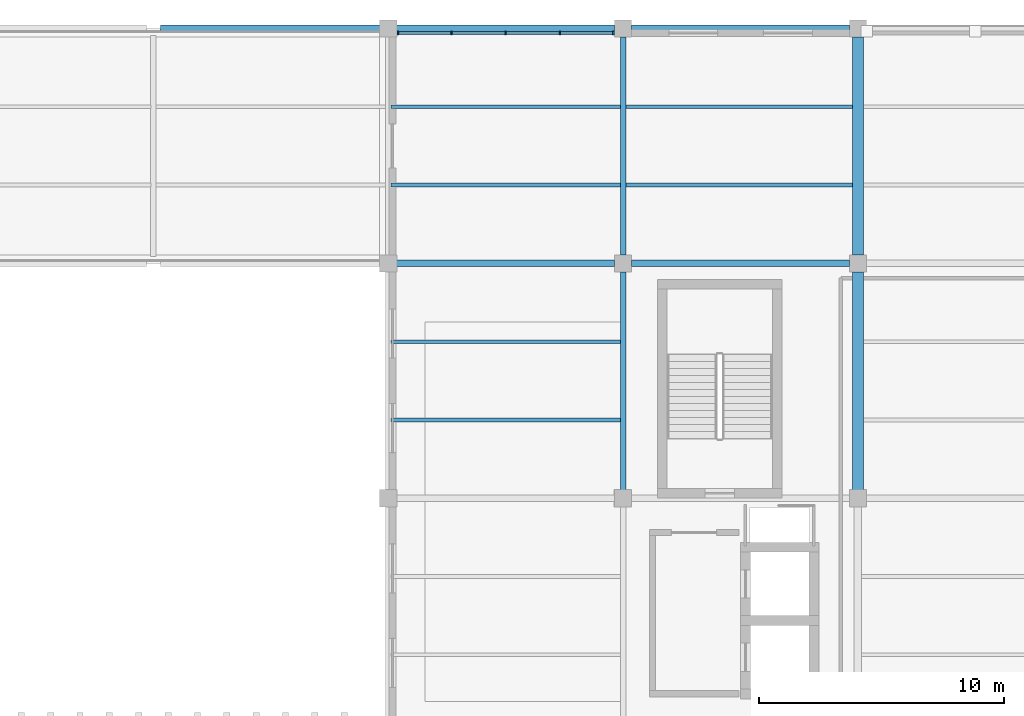
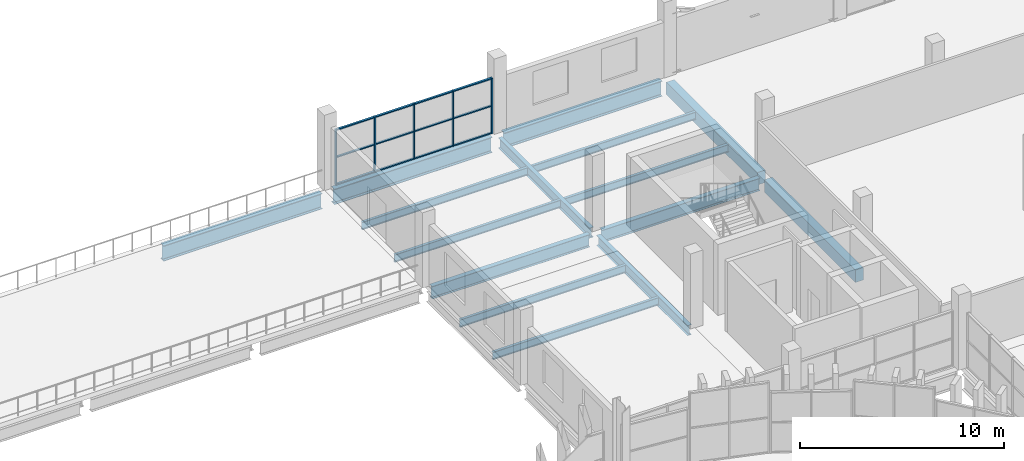
# One storey, part 33 of 75: 17 members, 15 beams, 1 element without a shape of its own.
"""IFC4 building model written with IfcOpenShell, lengths in metres."""

from ifc_helpers import new_model, si_unit, direction, frame, origin, origin_2d, place, context, subcontext, project, spatial, rectangle, i_section, extrude, material, layer, layer_set, material_profile, profile_set, type_object, element, aggregate, save


model = new_model("IFC4")

# Units and contexts
model_context = context("Model", 3, precision=1e-05, world=origin(), true_north=direction((0.0, 1.0)))
body_context = subcontext(model_context, "Body", "Model", "MODEL_VIEW")
ifc_project = project(units=[si_unit("LENGTHUNIT", "METRE"), si_unit("AREAUNIT", "SQUARE_METRE"), si_unit("VOLUMEUNIT", "CUBIC_METRE"), si_unit("PLANEANGLEUNIT", "RADIAN"), si_unit("MASSUNIT", "GRAM", prefix="KILO")], contexts=[model_context])

# Site, building, storey
site_placement = place(None, origin())
site = spatial("IfcSite", under=ifc_project, at=site_placement, CompositionType="ELEMENT")
building_placement = place(site_placement, origin())
building = spatial("IfcBuilding", under=site, at=building_placement, Name="Caelomonte Colonnade Arena", CompositionType="ELEMENT")
storey_placement = place(building_placement, frame((0.0, 0.0, 14.10009765625)))
storey = spatial("IfcBuildingStorey", under=building, at=storey_placement, Name="L03", CompositionType="ELEMENT", Elevation=14.10009765625)

# Curtain wall, members
ifc_material_1 = material(Name="Bronze anodised aluminium and low-E glazing", Category="aluminium")
ifc_layer = layer(ifc_material_1, 0.179931640625)
ifc_layer_set = layer_set([ifc_layer], Name="Bronze anodised aluminium and low-E glazing")
curtain_wall_type = type_object("IfcCurtainWallType", Name="ENV-CW-CW-L03-96-33", PredefinedType="USERDEFINED", material=ifc_layer_set)
curtain_wall_placement = place(storey_placement, origin())
curtain_wall = element("IfcCurtainWall", 1, at=curtain_wall_placement, inside=storey, type_object=curtain_wall_type, Name="L03 unitized curtain wall CW-L03-1488-1438", ObjectType="UNITIZED CURTAIN WALL", PredefinedType="USERDEFINED")
ifc_material_2 = material(Name="Bronze anodised aluminium AA6063-T6", Category="aluminium")
ifc_material_profile_1 = material_profile(ifc_material_2, rectangle(XDim=0.06494140625, YDim=0.14990234375, at=origin_2d()), Name="CWM-65X150")
ifc_profile_set_1 = profile_set([ifc_material_profile_1], Name="Bronze anodised aluminium AA6063-T6")
member_type_1 = type_object("IfcMemberType", Name="ENV-CW-MULL2", PredefinedType="MULLION", material=ifc_profile_set_1)
member_1_placement = place(storey_placement, frame((153.197509765625, 143.820068359375, 0.0), z_axis=(0.0, 0.0, 1.0), x_axis=(-1.0, 0.0, 0.0)))
member_1 = element("IfcMember", 2, at=member_1_placement, type_object=member_type_1, Name="CW-L03-96-33 mullion 1", PredefinedType="MULLION", context=body_context, shape_type="SweptSolid", body=[
    extrude(rectangle(XDim=0.06494140625, YDim=0.14990234375, at=origin_2d()), origin(), (0.0, 0.0, 1.0), 3.312744140625),
])
member_2_placement = place(storey_placement, frame((151.014892578125, 143.820068359375, 0.0), z_axis=(0.0, 0.0, 1.0), x_axis=(-1.0, 0.0, 0.0)))
member_2 = element("IfcMember", 3, at=member_2_placement, type_object=member_type_1, Name="CW-L03-96-33 mullion 2", PredefinedType="MULLION", context=body_context, shape_type="SweptSolid", body=[
    extrude(rectangle(XDim=0.06494140625, YDim=0.14990234375, at=origin_2d()), origin(), (0.0, 0.0, 1.0), 3.312744140625),
])
member_3_placement = place(storey_placement, frame((148.800048828125, 143.820068359375, 0.0), z_axis=(0.0, 0.0, 1.0), x_axis=(-1.0, 0.0, 0.0)))
member_3 = element("IfcMember", 4, at=member_3_placement, type_object=member_type_1, Name="CW-L03-96-33 mullion 3", PredefinedType="MULLION", context=body_context, shape_type="SweptSolid", body=[
    extrude(rectangle(XDim=0.06494140625, YDim=0.14990234375, at=origin_2d()), origin(), (0.0, 0.0, 1.0), 3.312744140625),
])
member_4_placement = place(storey_placement, frame((146.5849609375, 143.820068359375, 0.0), z_axis=(0.0, 0.0, 1.0), x_axis=(-1.0, 0.0, 0.0)))
member_4 = element("IfcMember", 5, at=member_4_placement, type_object=member_type_1, Name="CW-L03-96-33 mullion 4", PredefinedType="MULLION", context=body_context, shape_type="SweptSolid", body=[
    extrude(rectangle(XDim=0.06494140625, YDim=0.14990234375, at=origin_2d()), origin(), (0.0, 0.0, 1.0), 3.312744140625),
])
member_5_placement = place(storey_placement, frame((144.402587890625, 143.820068359375, 0.0), z_axis=(0.0, 0.0, 1.0), x_axis=(-1.0, 0.0, 0.0)))
member_5 = element("IfcMember", 6, at=member_5_placement, type_object=member_type_1, Name="CW-L03-96-33 mullion 5", PredefinedType="MULLION", context=body_context, shape_type="SweptSolid", body=[
    extrude(rectangle(XDim=0.06494140625, YDim=0.14990234375, at=origin_2d()), origin(), (0.0, 0.0, 1.0), 3.312744140625),
])
ifc_material_profile_2 = material_profile(ifc_material_2, rectangle(XDim=0.06494140625, YDim=0.1201171875, at=origin_2d()), Name="CWT-65X120")
ifc_profile_set_2 = profile_set([ifc_material_profile_2], Name="Bronze anodised aluminium AA6063-T6")
member_type_2 = type_object("IfcMemberType", Name="ENV-CW-TRAN2", PredefinedType="USERDEFINED", material=ifc_profile_set_2)
member_6_placement = place(storey_placement, frame((153.1650390625, 143.820068359375, 0.032470703125), z_axis=(-1.0, 0.0, 0.0), x_axis=(0.0, 0.0, 1.0)))
member_6 = element("IfcMember", 7, at=member_6_placement, type_object=member_type_2, Name="CW-L03-96-33 transom 1.1", ObjectType="TRANSOM", PredefinedType="USERDEFINED", context=body_context, shape_type="SweptSolid", body=[
    extrude(rectangle(XDim=0.06494140625, YDim=0.1201171875, at=origin_2d()), origin(), (0.0, 0.0, 1.0), 2.117431640625),
])
member_7_placement = place(storey_placement, frame((153.1650390625, 143.820068359375, 1.65625), z_axis=(-1.0, 0.0, 0.0), x_axis=(0.0, 0.0, 1.0)))
member_7 = element("IfcMember", 8, at=member_7_placement, type_object=member_type_2, Name="CW-L03-96-33 transom 1.2", ObjectType="TRANSOM", PredefinedType="USERDEFINED", context=body_context, shape_type="SweptSolid", body=[
    extrude(rectangle(XDim=0.06494140625, YDim=0.1201171875, at=origin_2d()), origin(), (0.0, 0.0, 1.0), 2.117431640625),
])
member_8_placement = place(storey_placement, frame((153.1650390625, 143.820068359375, 3.2802734375), z_axis=(-1.0, 0.0, 0.0), x_axis=(0.0, 0.0, 1.0)))
member_8 = element("IfcMember", 9, at=member_8_placement, type_object=member_type_2, Name="CW-L03-96-33 transom 1.3", ObjectType="TRANSOM", PredefinedType="USERDEFINED", context=body_context, shape_type="SweptSolid", body=[
    extrude(rectangle(XDim=0.06494140625, YDim=0.1201171875, at=origin_2d()), origin(), (0.0, 0.0, 1.0), 2.117431640625),
])
member_9_placement = place(storey_placement, frame((150.982421875, 143.820068359375, 0.032470703125), z_axis=(-1.0, 0.0, 0.0), x_axis=(0.0, 0.0, 1.0)))
member_9 = element("IfcMember", 10, at=member_9_placement, type_object=member_type_2, Name="CW-L03-96-33 transom 2.1", ObjectType="TRANSOM", PredefinedType="USERDEFINED", context=body_context, shape_type="SweptSolid", body=[
    extrude(rectangle(XDim=0.06494140625, YDim=0.1201171875, at=origin_2d()), origin(), (0.0, 0.0, 1.0), 2.14990234375),
])
member_10_placement = place(storey_placement, frame((150.982421875, 143.820068359375, 1.65625), z_axis=(-1.0, 0.0, 0.0), x_axis=(0.0, 0.0, 1.0)))
member_10 = element("IfcMember", 11, at=member_10_placement, type_object=member_type_2, Name="CW-L03-96-33 transom 2.2", ObjectType="TRANSOM", PredefinedType="USERDEFINED", context=body_context, shape_type="SweptSolid", body=[
    extrude(rectangle(XDim=0.06494140625, YDim=0.1201171875, at=origin_2d()), origin(), (0.0, 0.0, 1.0), 2.14990234375),
])
member_11_placement = place(storey_placement, frame((150.982421875, 143.820068359375, 3.2802734375), z_axis=(-1.0, 0.0, 0.0), x_axis=(0.0, 0.0, 1.0)))
member_11 = element("IfcMember", 12, at=member_11_placement, type_object=member_type_2, Name="CW-L03-96-33 transom 2.3", ObjectType="TRANSOM", PredefinedType="USERDEFINED", context=body_context, shape_type="SweptSolid", body=[
    extrude(rectangle(XDim=0.06494140625, YDim=0.1201171875, at=origin_2d()), origin(), (0.0, 0.0, 1.0), 2.14990234375),
])
member_12_placement = place(storey_placement, frame((148.767578125, 143.820068359375, 0.032470703125), z_axis=(-1.0, 0.0, 0.0), x_axis=(0.0, 0.0, 1.0)))
member_12 = element("IfcMember", 13, at=member_12_placement, type_object=member_type_2, Name="CW-L03-96-33 transom 3.1", ObjectType="TRANSOM", PredefinedType="USERDEFINED", context=body_context, shape_type="SweptSolid", body=[
    extrude(rectangle(XDim=0.06494140625, YDim=0.1201171875, at=origin_2d()), origin(), (0.0, 0.0, 1.0), 2.150146484375),
])
member_13_placement = place(storey_placement, frame((148.767578125, 143.820068359375, 1.65625), z_axis=(-1.0, 0.0, 0.0), x_axis=(0.0, 0.0, 1.0)))
member_13 = element("IfcMember", 14, at=member_13_placement, type_object=member_type_2, Name="CW-L03-96-33 transom 3.2", ObjectType="TRANSOM", PredefinedType="USERDEFINED", context=body_context, shape_type="SweptSolid", body=[
    extrude(rectangle(XDim=0.06494140625, YDim=0.1201171875, at=origin_2d()), origin(), (0.0, 0.0, 1.0), 2.150146484375),
])
member_14_placement = place(storey_placement, frame((148.767578125, 143.820068359375, 3.2802734375), z_axis=(-1.0, 0.0, 0.0), x_axis=(0.0, 0.0, 1.0)))
member_14 = element("IfcMember", 15, at=member_14_placement, type_object=member_type_2, Name="CW-L03-96-33 transom 3.3", ObjectType="TRANSOM", PredefinedType="USERDEFINED", context=body_context, shape_type="SweptSolid", body=[
    extrude(rectangle(XDim=0.06494140625, YDim=0.1201171875, at=origin_2d()), origin(), (0.0, 0.0, 1.0), 2.150146484375),
])
member_15_placement = place(storey_placement, frame((146.552490234375, 143.820068359375, 0.032470703125), z_axis=(-1.0, 0.0, 0.0), x_axis=(0.0, 0.0, 1.0)))
member_15 = element("IfcMember", 16, at=member_15_placement, type_object=member_type_2, Name="CW-L03-96-33 transom 4.1", ObjectType="TRANSOM", PredefinedType="USERDEFINED", context=body_context, shape_type="SweptSolid", body=[
    extrude(rectangle(XDim=0.06494140625, YDim=0.1201171875, at=origin_2d()), origin(), (0.0, 0.0, 1.0), 2.117431640625),
])
member_16_placement = place(storey_placement, frame((146.552490234375, 143.820068359375, 1.65625), z_axis=(-1.0, 0.0, 0.0), x_axis=(0.0, 0.0, 1.0)))
member_16 = element("IfcMember", 17, at=member_16_placement, type_object=member_type_2, Name="CW-L03-96-33 transom 4.2", ObjectType="TRANSOM", PredefinedType="USERDEFINED", context=body_context, shape_type="SweptSolid", body=[
    extrude(rectangle(XDim=0.06494140625, YDim=0.1201171875, at=origin_2d()), origin(), (0.0, 0.0, 1.0), 2.117431640625),
])
member_17_placement = place(storey_placement, frame((146.552490234375, 143.820068359375, 3.2802734375), z_axis=(-1.0, 0.0, 0.0), x_axis=(0.0, 0.0, 1.0)))
member_17 = element("IfcMember", 18, at=member_17_placement, type_object=member_type_2, Name="CW-L03-96-33 transom 4.3", ObjectType="TRANSOM", PredefinedType="USERDEFINED", context=body_context, shape_type="SweptSolid", body=[
    extrude(rectangle(XDim=0.06494140625, YDim=0.1201171875, at=origin_2d()), origin(), (0.0, 0.0, 1.0), 2.117431640625),
])
aggregate(curtain_wall, [member_1, member_2, member_3, member_4, member_5, member_6, member_7, member_8, member_9, member_10, member_11, member_12, member_13, member_14, member_15, member_16, member_17])

# Beams
ifc_material_3 = material(Name="Wide-flange steel ASTM A992 Grade 50", Category="steel")
ifc_material_profile_3 = material_profile(ifc_material_3, i_section(OverallWidth=0.307861328125, OverallDepth=0.927001953125, WebThickness=0.019287109375, FlangeThickness=0.031982421875, FilletRadius=0.020263671875, at=origin_2d()), Name="W36X194")
ifc_profile_set_3 = profile_set([ifc_material_profile_3], Name="Wide-flange steel ASTM A992 Grade 50")
beam_type_1 = type_object("IfcBeamType", Name="STR-BM-EAVES2", PredefinedType="SPANDREL", material=ifc_profile_set_3)
beam_placement = place(storey_placement, frame((134.69189453125, 144.0, -0.74365234375), z_axis=(1.0, 0.0, 0.0), x_axis=(0.0, 1.0, 0.0)))
element("IfcBeam", 19, at=beam_placement, inside=storey, type_object=beam_type_1, Name="L03 girder BMX-L03-1344-1440", PredefinedType="SPANDREL", context=body_context, shape_type="SweptSolid", body=[
    extrude(i_section(OverallWidth=0.307861328125, OverallDepth=0.927001953125, WebThickness=0.019287109375, FlangeThickness=0.031982421875, FilletRadius=0.020263671875, at=origin_2d()), origin(), (0.0, 0.0, 1.0), 8.966064453125),
])
for number, where, z_axis, x_axis, name in (
    (20, (144.342041015625, 144.0, -0.74365234375), (1.0, 0.0, 0.0), (0.0, 1.0, 0.0), "L03 girder BMX-L03-1440-1440"),
    (21, (153.94189453125, 144.0, -0.74365234375), (1.0, 0.0, 0.0), (0.0, 1.0, 0.0), "L03 girder BMX-L03-1536-1440"),
):
    element("IfcBeam", number, at=place(storey_placement, frame(where, z_axis=z_axis, x_axis=x_axis)), inside=storey, type_object=beam_type_1, Name=name, PredefinedType="SPANDREL", context=body_context, shape_type="SweptSolid", body=[
        extrude(i_section(OverallWidth=0.307861328125, OverallDepth=0.927001953125, WebThickness=0.019287109375, FlangeThickness=0.031982421875, FilletRadius=0.020263671875, at=origin_2d()), origin(), (0.0, 0.0, 1.0), 8.916015625),
    ])
ifc_material_profile_4 = material_profile(ifc_material_3, i_section(OverallWidth=0.228271484375, OverallDepth=0.607177734375, WebThickness=0.01123046875, FlangeThickness=0.017333984375, FilletRadius=0.0126953125, at=origin_2d()), Name="W24X76")
ifc_profile_set_4 = profile_set([ifc_material_profile_4], Name="Wide-flange steel ASTM A992 Grade 50")
beam_type_2 = type_object("IfcBeamType", Name="STR-BM-GIRD24", PredefinedType="BEAM", material=ifc_profile_set_4)
for number, where, z_axis, x_axis, name in (
    (22, (153.60009765625, 125.14208984375, -0.58349609375), (0.0, 1.0, 0.0), (-1.0, 0.0, 0.0), "L03 girder BMY-L03-1536-1248"),
    (23, (153.60009765625, 134.741943359375, -0.58349609375), (0.0, 1.0, 0.0), (-1.0, 0.0, 0.0), "L03 girder BMY-L03-1536-1344"),
):
    element("IfcBeam", number, at=place(storey_placement, frame(where, z_axis=z_axis, x_axis=x_axis)), inside=storey, type_object=beam_type_2, Name=name, PredefinedType="BEAM", context=body_context, shape_type="SweptSolid", body=[
        extrude(i_section(OverallWidth=0.228271484375, OverallDepth=0.607177734375, WebThickness=0.01123046875, FlangeThickness=0.017333984375, FilletRadius=0.0126953125, at=origin_2d()), origin(), (0.0, 0.0, 1.0), 8.916015625),
    ])
ifc_material_profile_5 = material_profile(ifc_material_3, i_section(OverallWidth=0.265380859375, OverallDepth=0.75439453125, WebThickness=0.01318359375, FlangeThickness=0.01708984375, FilletRadius=0.0166015625, at=origin_2d()), Name="W30X99")
ifc_profile_set_5 = profile_set([ifc_material_profile_5], Name="Wide-flange steel ASTM A992 Grade 50")
beam_type_3 = type_object("IfcBeamType", Name="STR-BM-GIRD30B", PredefinedType="BEAM", material=ifc_profile_set_5)
for number, where, z_axis, x_axis, name in (
    (24, (144.342041015625, 134.39990234375, -0.6572265625), (1.0, 0.0, 0.0), (0.0, 1.0, 0.0), "L03 girder BMX-L03-1440-1344"),
    (25, (153.94189453125, 134.39990234375, -0.6572265625), (1.0, 0.0, 0.0), (0.0, 1.0, 0.0), "L03 girder BMX-L03-1536-1344"),
):
    element("IfcBeam", number, at=place(storey_placement, frame(where, z_axis=z_axis, x_axis=x_axis)), inside=storey, type_object=beam_type_3, Name=name, PredefinedType="BEAM", context=body_context, shape_type="SweptSolid", body=[
        extrude(i_section(OverallWidth=0.265380859375, OverallDepth=0.75439453125, WebThickness=0.01318359375, FlangeThickness=0.01708984375, FilletRadius=0.0166015625, at=origin_2d()), origin(), (0.0, 0.0, 1.0), 8.916015625),
    ])
ifc_material_profile_6 = material_profile(ifc_material_3, i_section(OverallWidth=0.15283203125, OverallDepth=0.45458984375, WebThickness=0.008056640625, FlangeThickness=0.01318359375, FilletRadius=0.01025390625, at=origin_2d()), Name="W18X40")
ifc_profile_set_6 = profile_set([ifc_material_profile_6], Name="Wide-flange steel ASTM A992 Grade 50")
beam_type_4 = type_object("IfcBeamType", Name="STR-BM-JOIST18B", PredefinedType="JOIST", material=ifc_profile_set_6)
for number, where, z_axis, x_axis, name in (
    (26, (144.109130859375, 128.0, -0.50732421875), (1.0, 0.0, 0.0), (0.0, 1.0, 0.0), "L03 secondary joist 1"),
    (27, (144.109130859375, 131.199951171875, -0.50732421875), (1.0, 0.0, 0.0), (0.0, 1.0, 0.0), "L03 secondary joist 2"),
    (28, (144.109130859375, 137.60009765625, -0.50732421875), (1.0, 0.0, 0.0), (0.0, 1.0, 0.0), "L03 secondary joist 1"),
    (29, (144.109130859375, 140.800048828125, -0.50732421875), (1.0, 0.0, 0.0), (0.0, 1.0, 0.0), "L03 secondary joist 2"),
):
    element("IfcBeam", number, at=place(storey_placement, frame(where, z_axis=z_axis, x_axis=x_axis)), inside=storey, type_object=beam_type_4, Name=name, PredefinedType="JOIST", context=body_context, shape_type="SweptSolid", body=[
        extrude(i_section(OverallWidth=0.15283203125, OverallDepth=0.45458984375, WebThickness=0.008056640625, FlangeThickness=0.01318359375, FilletRadius=0.01025390625, at=origin_2d()), origin(), (0.0, 0.0, 1.0), 9.381591796875),
    ])
for number, where, z_axis, x_axis, name in (
    (30, (153.708984375, 137.60009765625, -0.50732421875), (1.0, 0.0, 0.0), (0.0, 1.0, 0.0), "L03 secondary joist 1"),
    (31, (153.708984375, 140.800048828125, -0.50732421875), (1.0, 0.0, 0.0), (0.0, 1.0, 0.0), "L03 secondary joist 2"),
):
    element("IfcBeam", number, at=place(storey_placement, frame(where, z_axis=z_axis, x_axis=x_axis)), inside=storey, type_object=beam_type_4, Name=name, PredefinedType="JOIST", context=body_context, shape_type="SweptSolid", body=[
        extrude(i_section(OverallWidth=0.15283203125, OverallDepth=0.45458984375, WebThickness=0.008056640625, FlangeThickness=0.01318359375, FilletRadius=0.01025390625, at=origin_2d()), origin(), (0.0, 0.0, 1.0), 9.27099609375),
    ])
ifc_material_4 = material(Name="Concrete C40/50", Category="concrete")
ifc_material_profile_7 = material_profile(ifc_material_4, rectangle(XDim=0.449951171875, YDim=0.75, at=origin_2d()), Name="RC450X750")
ifc_profile_set_7 = profile_set([ifc_material_profile_7], Name="Concrete C40/50")
beam_type_5 = type_object("IfcBeamType", Name="STR-BM-SPAN24", PredefinedType="SPANDREL", material=ifc_profile_set_7)
for number, where, z_axis, x_axis, name in (
    (32, (163.199951171875, 125.14208984375, -0.655029296875), (0.0, 1.0, 0.0), (-1.0, 0.0, 0.0), "L03 girder BMY-L03-1632-1248"),
    (33, (163.199951171875, 134.741943359375, -0.655029296875), (0.0, 1.0, 0.0), (-1.0, 0.0, 0.0), "L03 girder BMY-L03-1632-1344"),
):
    element("IfcBeam", number, at=place(storey_placement, frame(where, z_axis=z_axis, x_axis=x_axis)), inside=storey, type_object=beam_type_5, Name=name, PredefinedType="SPANDREL", context=body_context, shape_type="SweptSolid", body=[
        extrude(rectangle(XDim=0.449951171875, YDim=0.75, at=origin_2d()), origin(), (0.0, 0.0, 1.0), 8.916015625),
    ])

save(model, "model.ifc")
